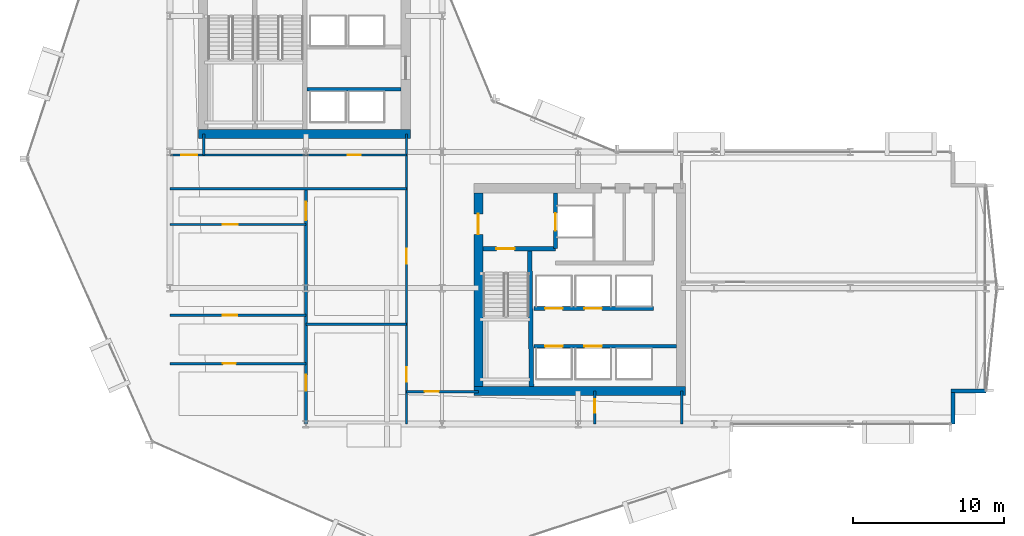
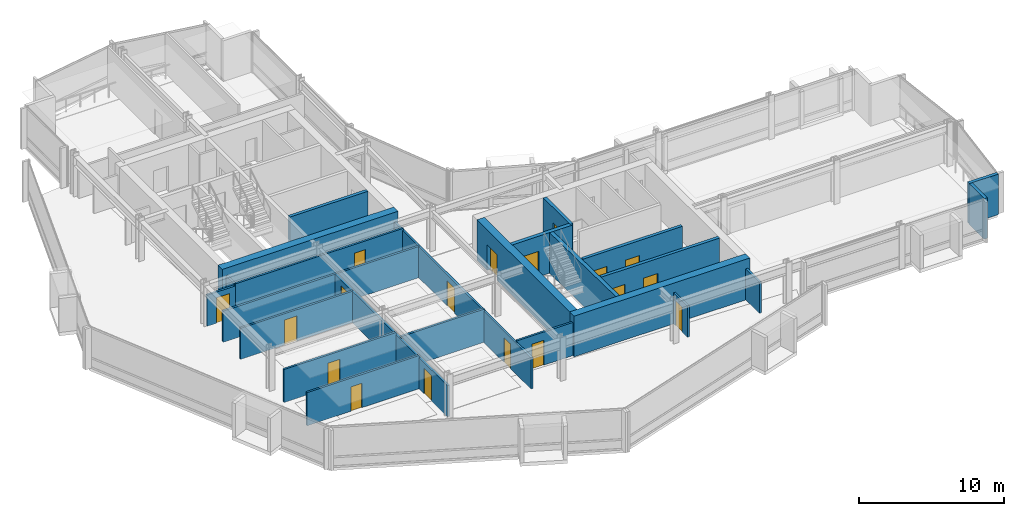
# One storey, part 27 of 34: 24 walls, 18 doors, 18 openings.
"""IFC4 building model written with IfcOpenShell, lengths in metres."""

from ifc_helpers import new_model, si_unit, direction, frame, frame_2d, origin, place, context, subcontext, project, spatial, rectangle, extrude, material, layer, layer_set, type_object, element, fill, save


model = new_model("IFC4")

# Units and contexts
model_context = context("Model", 3, precision=1e-05, world=origin(), true_north=direction((0.0, 1.0)))
body_context = subcontext(model_context, "Body", "Model", "MODEL_VIEW")
ifc_project = project(units=[si_unit("LENGTHUNIT", "METRE"), si_unit("AREAUNIT", "SQUARE_METRE"), si_unit("VOLUMEUNIT", "CUBIC_METRE"), si_unit("PLANEANGLEUNIT", "RADIAN"), si_unit("MASSUNIT", "GRAM", prefix="KILO")], contexts=[model_context])

# Site, building, storey
site_placement = place(None, origin())
site = spatial("IfcSite", under=ifc_project, at=site_placement, CompositionType="ELEMENT")
building_placement = place(site_placement, origin())
building = spatial("IfcBuilding", under=site, at=building_placement, Name="Solvaryn Broadcast Tower", CompositionType="ELEMENT")
storey_placement = place(building_placement, frame((0.0, 0.0, 65.60009765625)))
storey = spatial("IfcBuildingStorey", under=building, at=storey_placement, Name="L15", CompositionType="ELEMENT", Elevation=65.60009765625)

# Walls
ifc_material_1 = material(Name="Concrete f'c 70 MPa", Category="concrete")
ifc_layer_1 = layer(ifc_material_1, 0.60009765625)
ifc_layer_set_1 = layer_set([ifc_layer_1], Name="CW-SHEAR-600")
wall_type_1 = type_object("IfcWallType", Name="CW-SHEAR-600", PredefinedType="SHEAR", material=ifc_layer_set_1)
for number, where, z_axis, x_axis, name in (
    (1, (10.89990234375, 28.199951171875, 0.0), (0.0, 0.0, 1.0), (1.0, 0.0, 0.0), "L15 West Core South Shear Wall"),
    (2, (29.10009765625, 11.199951171875, 0.0), (0.0, 0.0, 1.0), (1.0, 0.0, 0.0), "L15 East Core South Shear Wall"),
):
    element("IfcWall", number, at=place(storey_placement, frame(where, z_axis=z_axis, x_axis=x_axis)), inside=storey, type_object=wall_type_1, Name=name, PredefinedType="SHEAR", context=body_context, shape_type="SweptSolid", body=[
        extrude(rectangle(XDim=14.0, YDim=0.60009765625, at=frame_2d((7.0, 0.0))), origin(), (0.0, 0.0, 1.0), 3.419921875),
    ])

# Wall, opening, door
wall_1_placement = place(storey_placement, frame((29.39990234375, 24.300048828125, 0.0), z_axis=(0.0, 0.0, 1.0), x_axis=(0.0, -1.0, 0.0)))
wall_1 = element("IfcWall", 3, at=wall_1_placement, inside=storey, type_object=wall_type_1, Name="L15 East Core West Shear Wall", PredefinedType="SHEAR", context=body_context, shape_type="SweptSolid", body=[
    extrude(rectangle(XDim=12.800048828125, YDim=0.60009765625, at=frame_2d((6.39990234375, 0.0))), origin(), (0.0, 0.0, 1.0), 3.419921875),
])
opening_1_placement = place(wall_1_placement, frame((1.39990234375, 0.0, 0.0)))
opening_1 = element("IfcOpeningElement", 4, at=opening_1_placement, cuts=wall_1, Name="Opening FD90B", PredefinedType="OPENING", context=body_context, shape_type="SweptSolid", body=[
    extrude(rectangle(XDim=1.35009765625, YDim=2.14990234375, at=frame_2d((0.675048828125, 1.074951171875))), frame((0.0, 0.31005859375, 0.0), z_axis=(0.0, -1.0, 0.0), x_axis=(1.0, 0.0, 0.0)), (0.0, 0.0, 1.0), 0.6201171875),
])
ifc_material_2 = material(Name="Flush Acoustic Steel and Timber Door Assembly", Category="steel")
door_type_1 = type_object("IfcDoorType", Name="FD90-LOBBY-1350X2150", OperationType="NOTDEFINED", PredefinedType="DOOR", material=ifc_material_2)
door_1_placement = place(opening_1_placement, origin())
door_1 = element("IfcDoor", 5, at=door_1_placement, inside=storey, type_object=door_type_1, Name="L15 East FSAE Lobby Door", OperationType="SINGLE_SWING_RIGHT", OverallHeight=2.14990234375, OverallWidth=1.35009765625, PredefinedType="DOOR", context=body_context, shape_type="SweptSolid", body=[
    extrude(rectangle(XDim=1.35009765625, YDim=2.14990234375, at=frame_2d((0.675048828125, 1.074951171875))), frame((0.0, 0.02490234375, 0.0), z_axis=(0.0, -1.0, 0.0), x_axis=(1.0, 0.0, 0.0)), (0.0, 0.0, 1.0), 0.050048828125),
])
fill(opening_1, door_1)

# Walls
ifc_material_3 = material(Name="Concrete f'c 50 MPa", Category="concrete")
ifc_layer_2 = layer(ifc_material_3, 0.260009765625)
ifc_layer_set_2 = layer_set([ifc_layer_2], Name="EW-PIER-260")
wall_type_2 = type_object("IfcWallType", Name="EW-PIER-260", PredefinedType="SOLIDWALL", material=ifc_layer_set_2)
wall_2_placement = place(storey_placement, frame((60.800048828125, 9.0, 0.0), z_axis=(0.0, 0.0, 1.0), x_axis=(0.0, 1.0, 0.0)))
element("IfcWall", 6, at=wall_2_placement, inside=storey, type_object=wall_type_2, Name="L15 Notched Corner Pier Wall NSE1", PredefinedType="SOLIDWALL", context=body_context, shape_type="SweptSolid", body=[
    extrude(rectangle(XDim=2.080078125, YDim=0.260009765625, at=frame_2d((1.0400390625, 0.0))), origin(), (0.0, 0.0, 1.0), 3.419921875),
])
wall_3_placement = place(storey_placement, frame((60.679931640625, 11.199951171875, 0.0), z_axis=(0.0, 0.0, 1.0), x_axis=(1.0, 0.0, 0.0)))
element("IfcWall", 7, at=wall_3_placement, inside=storey, type_object=wall_type_2, Name="L15 Notched Corner Pier Wall NSE2", PredefinedType="SOLIDWALL", context=body_context, shape_type="SweptSolid", body=[
    extrude(rectangle(XDim=2.320068359375, YDim=0.260009765625, at=frame_2d((1.16015625, 0.0))), origin(), (0.0, 0.0, 1.0), 3.419921875),
])

# Wall, opening, door
ifc_material_4 = material(Name="Metal-Stud Service Core Partition")
ifc_layer_3 = layer(ifc_material_4, 0.14990234375)
ifc_layer_set_3 = layer_set([ifc_layer_3], Name="IW-PART-150")
wall_type_3 = type_object("IfcWallType", Name="IW-PART-150", PredefinedType="PARTITIONING", material=ifc_layer_set_3)
wall_4_placement = place(storey_placement, frame((37.10009765625, 9.0, 0.0), z_axis=(0.0, 0.0, 1.0), x_axis=(0.0, 1.0, 0.0)))
wall_4 = element("IfcWall", 8, at=wall_4_placement, inside=storey, type_object=wall_type_3, Name="L15 Interior Partition IW-L15-SC-V", PredefinedType="PARTITIONING", context=body_context, shape_type="SweptSolid", body=[
    extrude(rectangle(XDim=2.199951171875, YDim=0.14990234375, at=frame_2d((1.10009765625, 0.0))), origin(), (0.0, 0.0, 1.0), 2.626953125),
])
opening_2_placement = place(wall_4_placement, frame((0.75, 0.0, 0.0)))
opening_2 = element("IfcOpeningElement", 9, at=opening_2_placement, cuts=wall_4, Name="Opening FD60C", PredefinedType="OPENING", context=body_context, shape_type="SweptSolid", body=[
    extrude(rectangle(XDim=0.89990234375, YDim=2.10009765625, at=frame_2d((0.449951171875, 1.050048828125))), frame((0.0, 0.0849609375, 0.0), z_axis=(0.0, -1.0, 0.0), x_axis=(1.0, 0.0, 0.0)), (0.0, 0.0, 1.0), 0.169921875),
])
ifc_material_5 = material(Name="Flush Acoustic Steel and Timber Door Assembly", Category="steel")
door_type_2 = type_object("IfcDoorType", Name="FD60-SERV-900X2100", OperationType="NOTDEFINED", PredefinedType="DOOR", material=ifc_material_5)
door_2_placement = place(opening_2_placement, origin())
door_2 = element("IfcDoor", 10, at=door_2_placement, inside=storey, type_object=door_type_2, Name="L15 Door DR-L15-SC1", OperationType="SINGLE_SWING_LEFT", OverallHeight=2.10009765625, OverallWidth=0.89990234375, PredefinedType="DOOR", context=body_context, shape_type="SweptSolid", body=[
    extrude(rectangle(XDim=0.89990234375, YDim=2.10009765625, at=frame_2d((0.449951171875, 1.050048828125))), frame((0.0, 0.02490234375, 0.0), z_axis=(0.0, -1.0, 0.0), x_axis=(1.0, 0.0, 0.0)), (0.0, 0.0, 1.0), 0.050048828125),
])
fill(opening_2, door_2)

ifc_material_6 = material(Name="Metal-Stud Gypsum Office Partition")
ifc_layer_4 = layer(ifc_material_6, 0.159912109375)
ifc_layer_set_4 = layer_set([ifc_layer_4], Name="IW-PART-160")
wall_type_4 = type_object("IfcWallType", Name="IW-PART-160", PredefinedType="PARTITIONING", material=ifc_layer_set_4)
wall_5_placement = place(storey_placement, frame((9.0, 26.800048828125, 0.0), z_axis=(0.0, 0.0, 1.0), x_axis=(1.0, 0.0, 0.0)))
wall_5 = element("IfcWall", 11, at=wall_5_placement, inside=storey, type_object=wall_type_4, Name="L15 Interior Partition IW-L15-WM-S", PredefinedType="PARTITIONING", context=body_context, shape_type="SweptSolid", body=[
    extrude(rectangle(XDim=2.25, YDim=0.159912109375, at=frame_2d((1.125, 0.0))), origin(), (0.0, 0.0, 1.0), 2.626953125),
])
opening_3_placement = place(wall_5_placement, frame((0.75, 0.0, 0.0)))
opening_3 = element("IfcOpeningElement", 12, at=opening_3_placement, cuts=wall_5, Name="Opening ID03", PredefinedType="OPENING", context=body_context, shape_type="SweptSolid", body=[
    extrude(rectangle(XDim=1.050048828125, YDim=2.14990234375, at=frame_2d((0.52490234375, 1.074951171875))), frame((0.0, 0.090087890625, 0.0), z_axis=(0.0, -1.0, 0.0), x_axis=(1.0, 0.0, 0.0)), (0.0, 0.0, 1.0), 0.179931640625),
])
ifc_material_7 = material(Name="Flush Acoustic Steel and Timber Door Assembly", Category="steel")
door_type_3 = type_object("IfcDoorType", Name="ID-03-1050X2150", OperationType="NOTDEFINED", PredefinedType="DOOR", material=ifc_material_7)
door_3_placement = place(opening_3_placement, origin())
door_3 = element("IfcDoor", 13, at=door_3_placement, inside=storey, type_object=door_type_3, Name="L15 Door DR-L15-WM0", OperationType="SINGLE_SWING_LEFT", OverallHeight=2.14990234375, OverallWidth=1.050048828125, PredefinedType="DOOR", context=body_context, shape_type="SweptSolid", body=[
    extrude(rectangle(XDim=1.050048828125, YDim=2.14990234375, at=frame_2d((0.52490234375, 1.074951171875))), frame((0.0, 0.02490234375, 0.0), z_axis=(0.0, -1.0, 0.0), x_axis=(1.0, 0.0, 0.0)), (0.0, 0.0, 1.0), 0.050048828125),
])
fill(opening_3, door_3)

# Wall, openings, doors
wall_6_placement = place(storey_placement, frame((24.64990234375, 9.0, 0.0), z_axis=(0.0, 0.0, 1.0), x_axis=(0.0, 1.0, 0.0)))
wall_6 = element("IfcWall", 14, at=wall_6_placement, inside=storey, type_object=wall_type_4, Name="L15 Interior Partition IW-L15-SW-EB", PredefinedType="PARTITIONING", context=body_context, shape_type="SweptSolid", body=[
    extrude(rectangle(XDim=19.199951171875, YDim=0.159912109375, at=frame_2d((9.60009765625, 0.0))), origin(), (0.0, 0.0, 1.0), 2.626953125),
])
opening_4_placement = place(wall_6_placement, frame((2.800048828125, 0.0, 0.0)))
opening_4 = element("IfcOpeningElement", 15, at=opening_4_placement, cuts=wall_6, Name="Opening ID01", PredefinedType="OPENING", context=body_context, shape_type="SweptSolid", body=[
    extrude(rectangle(XDim=0.949951171875, YDim=2.10009765625, at=frame_2d((0.47509765625, 1.050048828125))), frame((0.0, 0.090087890625, 0.0), z_axis=(0.0, -1.0, 0.0), x_axis=(1.0, 0.0, 0.0)), (0.0, 0.0, 1.0), 0.179931640625),
])
opening_5_placement = place(wall_6_placement, frame((10.590087890625, 0.0, 0.0)))
opening_5 = element("IfcOpeningElement", 16, at=opening_5_placement, cuts=wall_6, Name="Opening ID02", PredefinedType="OPENING", context=body_context, shape_type="SweptSolid", body=[
    extrude(rectangle(XDim=1.0, YDim=2.10009765625, at=frame_2d((0.5, 1.050048828125))), frame((0.0, 0.090087890625, 0.0), z_axis=(0.0, -1.0, 0.0), x_axis=(1.0, 0.0, 0.0)), (0.0, 0.0, 1.0), 0.179931640625),
])
ifc_material_8 = material(Name="Flush Acoustic Steel and Timber Door Assembly", Category="steel")
door_type_4 = type_object("IfcDoorType", Name="ID-01-950X2100", OperationType="NOTDEFINED", PredefinedType="DOOR", material=ifc_material_8)
door_4_placement = place(opening_4_placement, origin())
door_4 = element("IfcDoor", 17, at=door_4_placement, inside=storey, type_object=door_type_4, Name="L15 Door DR-L15-SWE-1", OperationType="SINGLE_SWING_RIGHT", OverallHeight=2.10009765625, OverallWidth=0.949951171875, PredefinedType="DOOR", context=body_context, shape_type="SweptSolid", body=[
    extrude(rectangle(XDim=0.949951171875, YDim=2.10009765625, at=frame_2d((0.47509765625, 1.050048828125))), frame((0.0, 0.02490234375, 0.0), z_axis=(0.0, -1.0, 0.0), x_axis=(1.0, 0.0, 0.0)), (0.0, 0.0, 1.0), 0.050048828125),
])
fill(opening_4, door_4)
ifc_material_9 = material(Name="Flush Acoustic Steel and Timber Door Assembly", Category="steel")
door_type_5 = type_object("IfcDoorType", Name="ID-02-1000X2100", OperationType="NOTDEFINED", PredefinedType="DOOR", material=ifc_material_9)
door_5_placement = place(opening_5_placement, origin())
door_5 = element("IfcDoor", 18, at=door_5_placement, inside=storey, type_object=door_type_5, Name="L15 Door DR-L15-SWE-2", OperationType="SINGLE_SWING_LEFT", OverallHeight=2.10009765625, OverallWidth=1.0, PredefinedType="DOOR", context=body_context, shape_type="SweptSolid", body=[
    extrude(rectangle(XDim=1.0, YDim=2.10009765625, at=frame_2d((0.5, 1.050048828125))), frame((0.0, 0.02490234375, 0.0), z_axis=(0.0, -1.0, 0.0), x_axis=(1.0, 0.0, 0.0)), (0.0, 0.0, 1.0), 0.050048828125),
])
fill(opening_5, door_5)

# Wall
wall_7_placement = place(storey_placement, frame((9.0, 24.580078125, 0.0), z_axis=(0.0, 0.0, 1.0), x_axis=(1.0, 0.0, 0.0)))
element("IfcWall", 19, at=wall_7_placement, inside=storey, type_object=wall_type_4, Name="L15 Interior Partition IW-L15-SW-NB", PredefinedType="PARTITIONING", context=body_context, shape_type="SweptSolid", body=[
    extrude(rectangle(XDim=15.64990234375, YDim=0.159912109375, at=frame_2d((7.824951171875, 0.0))), origin(), (0.0, 0.0, 1.0), 2.626953125),
])

# Wall, opening, door
wall_8_placement = place(storey_placement, frame((11.25, 26.800048828125, 0.0), z_axis=(0.0, 0.0, 1.0), x_axis=(1.0, 0.0, 0.0)))
wall_8 = element("IfcWall", 20, at=wall_8_placement, inside=storey, type_object=wall_type_4, Name="L15 Interior Partition IW-L15-SW-N2", PredefinedType="PARTITIONING", context=body_context, shape_type="SweptSolid", body=[
    extrude(rectangle(XDim=13.39990234375, YDim=0.159912109375, at=frame_2d((6.699951171875, 0.0))), origin(), (0.0, 0.0, 1.0), 2.788818359375),
])
opening_6_placement = place(wall_8_placement, frame((9.5, 0.0, 0.0)))
opening_6 = element("IfcOpeningElement", 21, at=opening_6_placement, cuts=wall_8, Name="Opening ID07", PredefinedType="OPENING", context=body_context, shape_type="SweptSolid", body=[
    extrude(rectangle(XDim=0.860107421875, YDim=2.050048828125, at=frame_2d((0.43017578125, 1.02490234375))), frame((0.0, 0.090087890625, 0.0), z_axis=(0.0, -1.0, 0.0), x_axis=(1.0, 0.0, 0.0)), (0.0, 0.0, 1.0), 0.179931640625),
])
ifc_material_10 = material(Name="Flush Acoustic Steel and Timber Door Assembly", Category="steel")
door_type_6 = type_object("IfcDoorType", Name="ID-07-860X2050", OperationType="NOTDEFINED", PredefinedType="DOOR", material=ifc_material_10)
door_6_placement = place(opening_6_placement, origin())
door_6 = element("IfcDoor", 22, at=door_6_placement, inside=storey, type_object=door_type_6, Name="L15 Door DR-L15-SW-ALC", OperationType="SINGLE_SWING_LEFT", OverallHeight=2.050048828125, OverallWidth=0.860107421875, PredefinedType="DOOR", context=body_context, shape_type="SweptSolid", body=[
    extrude(rectangle(XDim=0.860107421875, YDim=2.050048828125, at=frame_2d((0.43017578125, 1.02490234375))), frame((0.0, 0.02490234375, 0.0), z_axis=(0.0, -1.0, 0.0), x_axis=(1.0, 0.0, 0.0)), (0.0, 0.0, 1.0), 0.050048828125),
])
fill(opening_6, door_6)

# Walls
wall_9_placement = place(storey_placement, frame((11.25, 26.800048828125, 0.0), z_axis=(0.0, 0.0, 1.0), x_axis=(0.0, 1.0, 0.0)))
element("IfcWall", 23, at=wall_9_placement, inside=storey, type_object=wall_type_4, Name="L15 Interior Partition IW-L15-SW-ALW", PredefinedType="PARTITIONING", context=body_context, shape_type="SweptSolid", body=[
    extrude(rectangle(XDim=1.39990234375, YDim=0.159912109375, at=frame_2d((0.699951171875, 0.0))), origin(), (0.0, 0.0, 1.0), 2.788818359375),
])
wall_10_placement = place(storey_placement, frame((18.0, 15.60009765625, 0.0), z_axis=(0.0, 0.0, 1.0), x_axis=(1.0, 0.0, 0.0)))
element("IfcWall", 24, at=wall_10_placement, inside=storey, type_object=wall_type_4, Name="L15 Interior Partition IW-L15-SWE-H1", PredefinedType="PARTITIONING", context=body_context, shape_type="SweptSolid", body=[
    extrude(rectangle(XDim=6.64990234375, YDim=0.159912109375, at=frame_2d((3.324951171875, 0.0))), origin(), (0.0, 0.0, 1.0), 2.788818359375),
])

# Wall, opening, door
wall_11_placement = place(storey_placement, frame((9.0, 13.0, 0.0), z_axis=(0.0, 0.0, 1.0), x_axis=(1.0, 0.0, 0.0)))
wall_11 = element("IfcWall", 25, at=wall_11_placement, inside=storey, type_object=wall_type_4, Name="L15 Interior Partition IW-L15-SWW-H1", PredefinedType="PARTITIONING", context=body_context, shape_type="SweptSolid", body=[
    extrude(rectangle(XDim=9.0, YDim=0.159912109375, at=frame_2d((4.5, 0.0))), origin(), (0.0, 0.0, 1.0), 2.7919921875),
])
opening_7_placement = place(wall_11_placement, frame((3.5, 0.0, 0.0)))
opening_7 = element("IfcOpeningElement", 26, at=opening_7_placement, cuts=wall_11, Name="Opening ID07", PredefinedType="OPENING", context=body_context, shape_type="SweptSolid", body=[
    extrude(rectangle(XDim=0.860107421875, YDim=2.050048828125, at=frame_2d((0.43017578125, 1.02490234375))), frame((0.0, 0.090087890625, 0.0), z_axis=(0.0, -1.0, 0.0), x_axis=(1.0, 0.0, 0.0)), (0.0, 0.0, 1.0), 0.179931640625),
])
door_7_placement = place(opening_7_placement, origin())
door_7 = element("IfcDoor", 27, at=door_7_placement, inside=storey, type_object=door_type_6, Name="L15 Door DR-L15-SWW-1", OperationType="SINGLE_SWING_RIGHT", OverallHeight=2.050048828125, OverallWidth=0.860107421875, PredefinedType="DOOR", context=body_context, shape_type="SweptSolid", body=[
    extrude(rectangle(XDim=0.860107421875, YDim=2.050048828125, at=frame_2d((0.43017578125, 1.02490234375))), frame((0.0, 0.02490234375, 0.0), z_axis=(0.0, -1.0, 0.0), x_axis=(1.0, 0.0, 0.0)), (0.0, 0.0, 1.0), 0.050048828125),
])
fill(opening_7, door_7)

wall_12_placement = place(storey_placement, frame((9.0, 16.199951171875, 0.0), z_axis=(0.0, 0.0, 1.0), x_axis=(1.0, 0.0, 0.0)))
wall_12 = element("IfcWall", 28, at=wall_12_placement, inside=storey, type_object=wall_type_4, Name="L15 Interior Partition IW-L15-SWW-H2", PredefinedType="PARTITIONING", context=body_context, shape_type="SweptSolid", body=[
    extrude(rectangle(XDim=9.0, YDim=0.159912109375, at=frame_2d((4.5, 0.0))), origin(), (0.0, 0.0, 1.0), 2.7919921875),
])
opening_8_placement = place(wall_12_placement, frame((3.5, 0.0, 0.0)))
opening_8 = element("IfcOpeningElement", 29, at=opening_8_placement, cuts=wall_12, Name="Opening ID01", PredefinedType="OPENING", context=body_context, shape_type="SweptSolid", body=[
    extrude(rectangle(XDim=0.949951171875, YDim=2.10009765625, at=frame_2d((0.47509765625, 1.050048828125))), frame((0.0, 0.090087890625, 0.0), z_axis=(0.0, -1.0, 0.0), x_axis=(1.0, 0.0, 0.0)), (0.0, 0.0, 1.0), 0.179931640625),
])
door_8_placement = place(opening_8_placement, origin())
door_8 = element("IfcDoor", 30, at=door_8_placement, inside=storey, type_object=door_type_4, Name="L15 Door DR-L15-SWW-2", OperationType="SINGLE_SWING_LEFT", OverallHeight=2.10009765625, OverallWidth=0.949951171875, PredefinedType="DOOR", context=body_context, shape_type="SweptSolid", body=[
    extrude(rectangle(XDim=0.949951171875, YDim=2.10009765625, at=frame_2d((0.47509765625, 1.050048828125))), frame((0.0, 0.02490234375, 0.0), z_axis=(0.0, -1.0, 0.0), x_axis=(1.0, 0.0, 0.0)), (0.0, 0.0, 1.0), 0.050048828125),
])
fill(opening_8, door_8)

wall_13_placement = place(storey_placement, frame((9.0, 22.199951171875, 0.0), z_axis=(0.0, 0.0, 1.0), x_axis=(1.0, 0.0, 0.0)))
wall_13 = element("IfcWall", 31, at=wall_13_placement, inside=storey, type_object=wall_type_4, Name="L15 Interior Partition IW-L15-SWW-H3", PredefinedType="PARTITIONING", context=body_context, shape_type="SweptSolid", body=[
    extrude(rectangle(XDim=9.0, YDim=0.159912109375, at=frame_2d((4.5, 0.0))), origin(), (0.0, 0.0, 1.0), 2.626953125),
])
opening_9_placement = place(wall_13_placement, frame((3.5, 0.0, 0.0)))
opening_9 = element("IfcOpeningElement", 32, at=opening_9_placement, cuts=wall_13, Name="Opening ID02", PredefinedType="OPENING", context=body_context, shape_type="SweptSolid", body=[
    extrude(rectangle(XDim=1.0, YDim=2.10009765625, at=frame_2d((0.5, 1.050048828125))), frame((0.0, 0.090087890625, 0.0), z_axis=(0.0, -1.0, 0.0), x_axis=(1.0, 0.0, 0.0)), (0.0, 0.0, 1.0), 0.179931640625),
])
door_9_placement = place(opening_9_placement, origin())
door_9 = element("IfcDoor", 33, at=door_9_placement, inside=storey, type_object=door_type_5, Name="L15 Door DR-L15-SWW-3", OperationType="SINGLE_SWING_RIGHT", OverallHeight=2.10009765625, OverallWidth=1.0, PredefinedType="DOOR", context=body_context, shape_type="SweptSolid", body=[
    extrude(rectangle(XDim=1.0, YDim=2.10009765625, at=frame_2d((0.5, 1.050048828125))), frame((0.0, 0.02490234375, 0.0), z_axis=(0.0, -1.0, 0.0), x_axis=(1.0, 0.0, 0.0)), (0.0, 0.0, 1.0), 0.050048828125),
])
fill(opening_9, door_9)

wall_14_placement = place(storey_placement, frame((24.64990234375, 11.14990234375, 0.0), z_axis=(0.0, 0.0, 1.0), x_axis=(1.0, 0.0, 0.0)))
wall_14 = element("IfcWall", 34, at=wall_14_placement, inside=storey, type_object=wall_type_4, Name="L15 Interior Partition IW-L15-SC-N", PredefinedType="PARTITIONING", context=body_context, shape_type="SweptSolid", body=[
    extrude(rectangle(XDim=4.75, YDim=0.159912109375, at=frame_2d((2.375, 0.0))), origin(), (0.0, 0.0, 1.0), 2.7919921875),
])
opening_10_placement = place(wall_14_placement, frame((1.199951171875, 0.0, 0.0)))
opening_10 = element("IfcOpeningElement", 35, at=opening_10_placement, cuts=wall_14, Name="Opening ID01", PredefinedType="OPENING", context=body_context, shape_type="SweptSolid", body=[
    extrude(rectangle(XDim=0.949951171875, YDim=2.10009765625, at=frame_2d((0.47509765625, 1.050048828125))), frame((0.0, 0.090087890625, 0.0), z_axis=(0.0, -1.0, 0.0), x_axis=(1.0, 0.0, 0.0)), (0.0, 0.0, 1.0), 0.179931640625),
])
door_10_placement = place(opening_10_placement, origin())
door_10 = element("IfcDoor", 36, at=door_10_placement, inside=storey, type_object=door_type_4, Name="L15 Door DR-L15-SC0", OperationType="SINGLE_SWING_RIGHT", OverallHeight=2.10009765625, OverallWidth=0.949951171875, PredefinedType="DOOR", context=body_context, shape_type="SweptSolid", body=[
    extrude(rectangle(XDim=0.949951171875, YDim=2.10009765625, at=frame_2d((0.47509765625, 1.050048828125))), frame((0.0, 0.02490234375, 0.0), z_axis=(0.0, -1.0, 0.0), x_axis=(1.0, 0.0, 0.0)), (0.0, 0.0, 1.0), 0.050048828125),
])
fill(opening_10, door_10)

# Wall
wall_15_placement = place(storey_placement, frame((42.85009765625, 9.0, 0.0), z_axis=(0.0, 0.0, 1.0), x_axis=(0.0, 1.0, 0.0)))
element("IfcWall", 37, at=wall_15_placement, inside=storey, type_object=wall_type_4, Name="L15 Interior Partition IW-L15-SC-E", PredefinedType="PARTITIONING", context=body_context, shape_type="SweptSolid", body=[
    extrude(rectangle(XDim=2.199951171875, YDim=0.159912109375, at=frame_2d((1.10009765625, 0.0))), origin(), (0.0, 0.0, 1.0), 2.626953125),
])

# Wall, openings, doors
ifc_material_11 = material(Name="Acoustic Metal-Stud Gypsum Partition")
ifc_layer_5 = layer(ifc_material_11, 0.179931640625)
ifc_layer_set_5 = layer_set([ifc_layer_5], Name="IW-PART-180")
wall_type_5 = type_object("IfcWallType", Name="IW-PART-180", PredefinedType="PARTITIONING", material=ifc_layer_set_5)
wall_16_placement = place(storey_placement, frame((18.0, 9.0, 0.0), z_axis=(0.0, 0.0, 1.0), x_axis=(0.0, 1.0, 0.0)))
wall_16 = element("IfcWall", 38, at=wall_16_placement, inside=storey, type_object=wall_type_5, Name="L15 Interior Partition IW-L15-SW-VX", PredefinedType="PARTITIONING", context=body_context, shape_type="SweptSolid", body=[
    extrude(rectangle(XDim=15.580078125, YDim=0.179931640625, at=frame_2d((7.7900390625, 0.0))), origin(), (0.0, 0.0, 1.0), 2.626953125),
])
opening_11_placement = place(wall_16_placement, frame((2.199951171875, 0.0, 0.0)))
opening_11 = element("IfcOpeningElement", 39, at=opening_11_placement, cuts=wall_16, Name="Opening ID03", PredefinedType="OPENING", context=body_context, shape_type="SweptSolid", body=[
    extrude(rectangle(XDim=1.050048828125, YDim=2.14990234375, at=frame_2d((0.52490234375, 1.074951171875))), frame((0.0, 0.099853515625, 0.0), z_axis=(0.0, -1.0, 0.0), x_axis=(1.0, 0.0, 0.0)), (0.0, 0.0, 1.0), 0.199951171875),
])
opening_12_placement = place(wall_16_placement, frame((13.5, 0.0, 0.0)))
opening_12 = element("IfcOpeningElement", 40, at=opening_12_placement, cuts=wall_16, Name="Opening ID04", PredefinedType="OPENING", context=body_context, shape_type="SweptSolid", body=[
    extrude(rectangle(XDim=1.199951171875, YDim=2.14990234375, at=frame_2d((0.60009765625, 1.074951171875))), frame((0.0, 0.099853515625, 0.0), z_axis=(0.0, -1.0, 0.0), x_axis=(1.0, 0.0, 0.0)), (0.0, 0.0, 1.0), 0.199951171875),
])
door_11_placement = place(opening_11_placement, origin())
door_11 = element("IfcDoor", 41, at=door_11_placement, inside=storey, type_object=door_type_3, Name="L15 Door DR-L15-SWW-X1", OperationType="SINGLE_SWING_RIGHT", OverallHeight=2.14990234375, OverallWidth=1.050048828125, PredefinedType="DOOR", context=body_context, shape_type="SweptSolid", body=[
    extrude(rectangle(XDim=1.050048828125, YDim=2.14990234375, at=frame_2d((0.52490234375, 1.074951171875))), frame((0.0, 0.02490234375, 0.0), z_axis=(0.0, -1.0, 0.0), x_axis=(1.0, 0.0, 0.0)), (0.0, 0.0, 1.0), 0.050048828125),
])
fill(opening_11, door_11)
ifc_material_12 = material(Name="Flush Acoustic Steel and Timber Door Assembly", Category="steel")
door_type_7 = type_object("IfcDoorType", Name="ID-04-1200X2150", OperationType="NOTDEFINED", PredefinedType="DOOR", material=ifc_material_12)
door_12_placement = place(opening_12_placement, origin())
door_12 = element("IfcDoor", 42, at=door_12_placement, inside=storey, type_object=door_type_7, Name="L15 Door DR-L15-SWW-X2", OperationType="SINGLE_SWING_LEFT", OverallHeight=2.14990234375, OverallWidth=1.199951171875, PredefinedType="DOOR", context=body_context, shape_type="SweptSolid", body=[
    extrude(rectangle(XDim=1.199951171875, YDim=2.14990234375, at=frame_2d((0.60009765625, 1.074951171875))), frame((0.0, 0.02490234375, 0.0), z_axis=(0.0, -1.0, 0.0), x_axis=(1.0, 0.0, 0.0)), (0.0, 0.0, 1.0), 0.050048828125),
])
fill(opening_12, door_12)

# Wall
ifc_material_13 = material(Name="Concrete f'c 60 MPa", Category="concrete")
ifc_layer_6 = layer(ifc_material_13, 0.25)
ifc_layer_set_6 = layer_set([ifc_layer_6], Name="SW-SHAFT-250")
wall_type_6 = type_object("IfcWallType", Name="SW-SHAFT-250", PredefinedType="PARTITIONING", material=ifc_layer_set_6)
wall_17_placement = place(storey_placement, frame((18.070068359375, 31.14990234375, 0.0), z_axis=(0.0, 0.0, 1.0), x_axis=(1.0, 0.0, 0.0)))
element("IfcWall", 43, at=wall_17_placement, inside=storey, type_object=wall_type_6, Name="L15 High-Rise Lift Bank South Wall", PredefinedType="PARTITIONING", context=body_context, shape_type="SweptSolid", body=[
    extrude(rectangle(XDim=6.22998046875, YDim=0.25, at=frame_2d((3.114990234375, 0.0))), origin(), (0.0, 0.0, 1.0), 3.419921875),
])

# Wall, opening, door
wall_18_placement = place(storey_placement, frame((34.5, 20.60009765625, 0.0), z_axis=(0.0, 0.0, 1.0), x_axis=(0.0, 1.0, 0.0)))
wall_18 = element("IfcWall", 44, at=wall_18_placement, inside=storey, type_object=wall_type_6, Name="L15 East FSAE Lobby East Wall", PredefinedType="PARTITIONING", context=body_context, shape_type="SweptSolid", body=[
    extrude(rectangle(XDim=3.699951171875, YDim=0.25, at=frame_2d((1.85009765625, 0.0))), origin(), (0.0, 0.0, 1.0), 3.419921875),
])
opening_13_placement = place(wall_18_placement, frame((1.199951171875, 0.0, 0.0)))
opening_13 = element("IfcOpeningElement", 45, at=opening_13_placement, cuts=wall_18, Name="Opening LD01", PredefinedType="OPENING", context=body_context, shape_type="SweptSolid", body=[
    extrude(rectangle(XDim=1.14990234375, YDim=2.14990234375, at=frame_2d((0.574951171875, 1.074951171875))), frame((0.0, 0.135009765625, 0.0), z_axis=(0.0, -1.0, 0.0), x_axis=(1.0, 0.0, 0.0)), (0.0, 0.0, 1.0), 0.27001953125),
])
ifc_material_14 = material(Name="Flush Acoustic Steel and Timber Door Assembly", Category="steel")
door_type_8 = type_object("IfcDoorType", Name="LD-LIFT-1150X2150", OperationType="NOTDEFINED", PredefinedType="DOOR", material=ifc_material_14)
door_13_placement = place(opening_13_placement, origin())
door_13 = element("IfcDoor", 46, at=door_13_placement, inside=storey, type_object=door_type_8, Name="L15 FL2 Lift Landing Door", OperationType="DOUBLE_DOOR_SLIDING", OverallHeight=2.14990234375, OverallWidth=1.14990234375, PredefinedType="DOOR", context=body_context, shape_type="SweptSolid", body=[
    extrude(rectangle(XDim=1.14990234375, YDim=2.14990234375, at=frame_2d((0.574951171875, 1.074951171875))), frame((0.0, 0.02490234375, 0.0), z_axis=(0.0, -1.0, 0.0), x_axis=(1.0, 0.0, 0.0)), (0.0, 0.0, 1.0), 0.050048828125),
])
fill(opening_13, door_13)

# Wall, openings, doors
wall_19_placement = place(storey_placement, frame((33.070068359375, 14.14990234375, 0.0), z_axis=(0.0, 0.0, 1.0), x_axis=(1.0, 0.0, 0.0)))
wall_19 = element("IfcWall", 47, at=wall_19_placement, inside=storey, type_object=wall_type_6, Name="L15 East Lift Bank South Wall", PredefinedType="PARTITIONING", context=body_context, shape_type="SweptSolid", body=[
    extrude(rectangle(XDim=9.429931640625, YDim=0.25, at=frame_2d((4.71484375, 0.0))), origin(), (0.0, 0.0, 1.0), 3.419921875),
])
opening_14_placement = place(wall_19_placement, frame((0.7548828125, 0.0, 0.0)))
opening_14 = element("IfcOpeningElement", 48, at=opening_14_placement, cuts=wall_19, Name="Opening LD01", PredefinedType="OPENING", context=body_context, shape_type="SweptSolid", body=[
    extrude(rectangle(XDim=1.14990234375, YDim=2.14990234375, at=frame_2d((0.574951171875, 1.074951171875))), frame((0.0, 0.135009765625, 0.0), z_axis=(0.0, -1.0, 0.0), x_axis=(1.0, 0.0, 0.0)), (0.0, 0.0, 1.0), 0.27001953125),
])
opening_15_placement = place(wall_19_placement, frame((3.35498046875, 0.0, 0.0)))
opening_15 = element("IfcOpeningElement", 49, at=opening_15_placement, cuts=wall_19, Name="Opening LD01", PredefinedType="OPENING", context=body_context, shape_type="SweptSolid", body=[
    extrude(rectangle(XDim=1.14990234375, YDim=2.14990234375, at=frame_2d((0.574951171875, 1.074951171875))), frame((0.0, 0.135009765625, 0.0), z_axis=(0.0, -1.0, 0.0), x_axis=(1.0, 0.0, 0.0)), (0.0, 0.0, 1.0), 0.27001953125),
])
door_14_placement = place(opening_14_placement, origin())
door_14 = element("IfcDoor", 50, at=door_14_placement, inside=storey, type_object=door_type_8, Name="L15 PL1 Lift Landing Door", OperationType="DOUBLE_DOOR_SLIDING", OverallHeight=2.14990234375, OverallWidth=1.14990234375, PredefinedType="DOOR", context=body_context, shape_type="SweptSolid", body=[
    extrude(rectangle(XDim=1.14990234375, YDim=2.14990234375, at=frame_2d((0.574951171875, 1.074951171875))), frame((0.0, 0.02490234375, 0.0), z_axis=(0.0, -1.0, 0.0), x_axis=(1.0, 0.0, 0.0)), (0.0, 0.0, 1.0), 0.050048828125),
])
fill(opening_14, door_14)
door_15_placement = place(opening_15_placement, origin())
door_15 = element("IfcDoor", 51, at=door_15_placement, inside=storey, type_object=door_type_8, Name="L15 PL2 Lift Landing Door", OperationType="DOUBLE_DOOR_SLIDING", OverallHeight=2.14990234375, OverallWidth=1.14990234375, PredefinedType="DOOR", context=body_context, shape_type="SweptSolid", body=[
    extrude(rectangle(XDim=1.14990234375, YDim=2.14990234375, at=frame_2d((0.574951171875, 1.074951171875))), frame((0.0, 0.02490234375, 0.0), z_axis=(0.0, -1.0, 0.0), x_axis=(1.0, 0.0, 0.0)), (0.0, 0.0, 1.0), 0.050048828125),
])
fill(opening_15, door_15)

wall_20_placement = place(storey_placement, frame((40.97998046875, 16.64990234375, 0.0), z_axis=(0.0, 0.0, 1.0), x_axis=(-1.0, 0.0, 0.0)))
wall_20 = element("IfcWall", 52, at=wall_20_placement, inside=storey, type_object=wall_type_6, Name="L15 East Lift Bank North Wall", PredefinedType="PARTITIONING", context=body_context, shape_type="SweptSolid", body=[
    extrude(rectangle(XDim=7.909912109375, YDim=0.25, at=frame_2d((3.955078125, 0.0))), origin(), (0.0, 0.0, 1.0), 3.419921875),
])
opening_16_placement = place(wall_20_placement, frame((6.0048828125, 0.0, 0.0)))
opening_16 = element("IfcOpeningElement", 53, at=opening_16_placement, cuts=wall_20, Name="Opening LD01", PredefinedType="OPENING", context=body_context, shape_type="SweptSolid", body=[
    extrude(rectangle(XDim=1.14990234375, YDim=2.14990234375, at=frame_2d((0.574951171875, 1.074951171875))), frame((0.0, 0.135009765625, 0.0), z_axis=(0.0, -1.0, 0.0), x_axis=(1.0, 0.0, 0.0)), (0.0, 0.0, 1.0), 0.27001953125),
])
opening_17_placement = place(wall_20_placement, frame((3.405029296875, 0.0, 0.0)))
opening_17 = element("IfcOpeningElement", 54, at=opening_17_placement, cuts=wall_20, Name="Opening LD01", PredefinedType="OPENING", context=body_context, shape_type="SweptSolid", body=[
    extrude(rectangle(XDim=1.14990234375, YDim=2.14990234375, at=frame_2d((0.574951171875, 1.074951171875))), frame((0.0, 0.135009765625, 0.0), z_axis=(0.0, -1.0, 0.0), x_axis=(1.0, 0.0, 0.0)), (0.0, 0.0, 1.0), 0.27001953125),
])
door_16_placement = place(opening_16_placement, origin())
door_16 = element("IfcDoor", 55, at=door_16_placement, inside=storey, type_object=door_type_8, Name="L15 PL3 Lift Landing Door", OperationType="DOUBLE_DOOR_SLIDING", OverallHeight=2.14990234375, OverallWidth=1.14990234375, PredefinedType="DOOR", context=body_context, shape_type="SweptSolid", body=[
    extrude(rectangle(XDim=1.14990234375, YDim=2.14990234375, at=frame_2d((0.574951171875, 1.074951171875))), frame((0.0, 0.02490234375, 0.0), z_axis=(0.0, -1.0, 0.0), x_axis=(1.0, 0.0, 0.0)), (0.0, 0.0, 1.0), 0.050048828125),
])
fill(opening_16, door_16)
door_17_placement = place(opening_17_placement, origin())
door_17 = element("IfcDoor", 56, at=door_17_placement, inside=storey, type_object=door_type_8, Name="L15 PL4 Lift Landing Door", OperationType="DOUBLE_DOOR_SLIDING", OverallHeight=2.14990234375, OverallWidth=1.14990234375, PredefinedType="DOOR", context=body_context, shape_type="SweptSolid", body=[
    extrude(rectangle(XDim=1.14990234375, YDim=2.14990234375, at=frame_2d((0.574951171875, 1.074951171875))), frame((0.0, 0.02490234375, 0.0), z_axis=(0.0, -1.0, 0.0), x_axis=(1.0, 0.0, 0.0)), (0.0, 0.0, 1.0), 0.050048828125),
])
fill(opening_17, door_17)

# Wall
ifc_material_15 = material(Name="Concrete f'c 70 MPa", Category="concrete")
ifc_layer_7 = layer(ifc_material_15, 0.300048828125)
ifc_layer_set_7 = layer_set([ifc_layer_7], Name="SW-SHAFT-300")
wall_type_7 = type_object("IfcWallType", Name="SW-SHAFT-300", PredefinedType="SHEAR", material=ifc_layer_set_7)
wall_21_placement = place(storey_placement, frame((32.919921875, 11.5, 0.0), z_axis=(0.0, 0.0, 1.0), x_axis=(-0.013244407292, 0.999912288991, 0.0)))
element("IfcWall", 57, at=wall_21_placement, inside=storey, type_object=wall_type_7, Name="L15 Stair 3 East Shear Wall", PredefinedType="SHEAR", context=body_context, shape_type="SweptSolid", body=[
    extrude(rectangle(XDim=9.05078125, YDim=0.300048828125, at=frame_2d((4.525390625, 0.0))), origin(), (0.0, 0.0, 1.0), 3.419921875),
])

# Wall, opening, door
wall_22_placement = place(storey_placement, frame((34.5, 20.60009765625, 0.0), z_axis=(0.0, 0.0, 1.0), x_axis=(-1.0, 0.0, 0.0)))
wall_22 = element("IfcWall", 58, at=wall_22_placement, inside=storey, type_object=wall_type_7, Name="L15 East FSAE Lobby South Wall", PredefinedType="SHEAR", context=body_context, shape_type="SweptSolid", body=[
    extrude(rectangle(XDim=4.800048828125, YDim=0.300048828125, at=frame_2d((2.39990234375, 0.0))), origin(), (0.0, 0.0, 1.0), 3.419921875),
])
opening_18_placement = place(wall_22_placement, frame((2.699951171875, 0.0, 0.0)))
opening_18 = element("IfcOpeningElement", 59, at=opening_18_placement, cuts=wall_22, Name="Opening FD90A", PredefinedType="OPENING", context=body_context, shape_type="SweptSolid", body=[
    extrude(rectangle(XDim=1.199951171875, YDim=2.14990234375, at=frame_2d((0.60009765625, 1.074951171875))), frame((0.0, 0.159912109375, 0.0), z_axis=(0.0, -1.0, 0.0), x_axis=(1.0, 0.0, 0.0)), (0.0, 0.0, 1.0), 0.320068359375),
])
ifc_material_16 = material(Name="Flush Acoustic Steel and Timber Door Assembly", Category="steel")
door_type_9 = type_object("IfcDoorType", Name="FD90-STAIR-1200X2150", OperationType="NOTDEFINED", PredefinedType="DOOR", material=ifc_material_16)
door_18_placement = place(opening_18_placement, origin())
door_18 = element("IfcDoor", 60, at=door_18_placement, inside=storey, type_object=door_type_9, Name="L15 Stair 3 Fire Door", OperationType="SINGLE_SWING_LEFT", OverallHeight=2.14990234375, OverallWidth=1.199951171875, PredefinedType="DOOR", context=body_context, shape_type="SweptSolid", body=[
    extrude(rectangle(XDim=1.199951171875, YDim=2.14990234375, at=frame_2d((0.60009765625, 1.074951171875))), frame((0.0, 0.02490234375, 0.0), z_axis=(0.0, -1.0, 0.0), x_axis=(1.0, 0.0, 0.0)), (0.0, 0.0, 1.0), 0.050048828125),
])
fill(opening_18, door_18)

save(model, "model.ifc")
